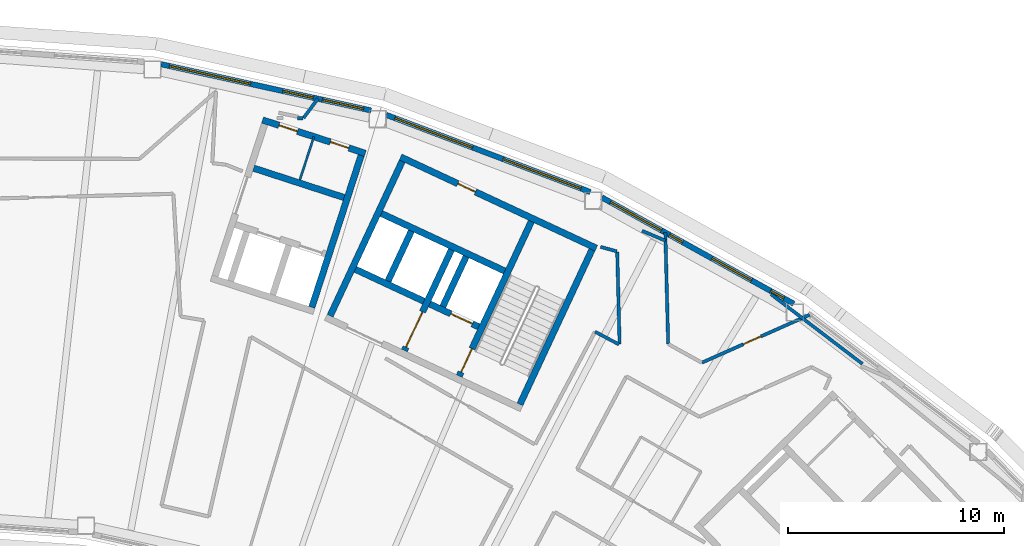
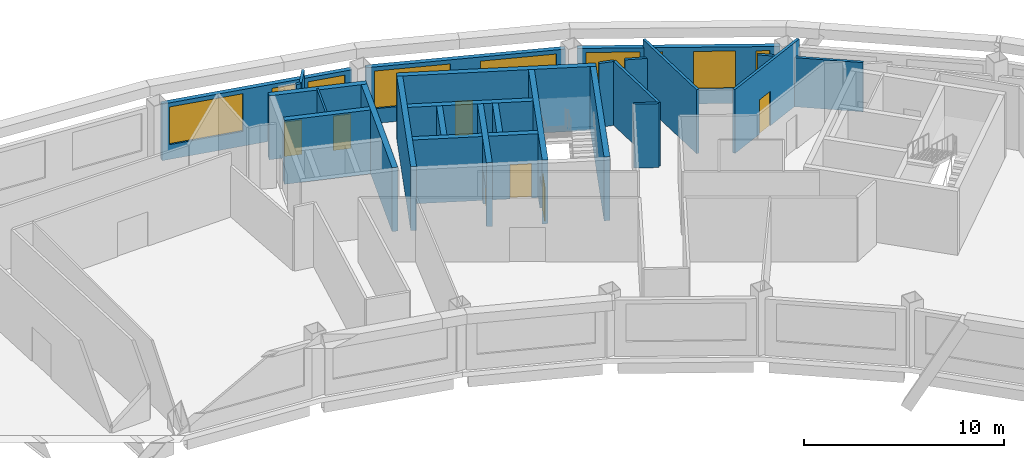
# One storey, part 10 of 13: 26 walls, 9 windows, 7 doors, 16 openings.
"""IFC4 building model written with IfcOpenShell, lengths in metres."""

from ifc_helpers import new_model, si_unit, direction, frame, frame_2d, origin, place, context, subcontext, project, spatial, rectangle, extrude, material, layer, layer_set, type_object, element, fill, save


model = new_model("IFC4")

# Units and contexts
model_context = context("Model", 3, precision=1e-05, world=origin(), true_north=direction((0.0, 1.0)))
body_context = subcontext(model_context, "Body", "Model", "MODEL_VIEW")
ifc_project = project(units=[si_unit("LENGTHUNIT", "METRE"), si_unit("AREAUNIT", "SQUARE_METRE"), si_unit("VOLUMEUNIT", "CUBIC_METRE"), si_unit("PLANEANGLEUNIT", "RADIAN"), si_unit("MASSUNIT", "GRAM", prefix="KILO")], contexts=[model_context])

# Site, building, storey
site_placement = place(None, origin())
site = spatial("IfcSite", under=ifc_project, at=site_placement, CompositionType="ELEMENT")
building_placement = place(site_placement, origin())
building = spatial("IfcBuilding", under=site, at=building_placement, Name="Tuul Gate Civic Tower", CompositionType="ELEMENT")
storey_placement = place(building_placement, frame((0.0, 0.0, 290.0)))
storey = spatial("IfcBuildingStorey", under=building, at=storey_placement, Name="Level 65", CompositionType="ELEMENT", Elevation=290.0)

# Wall, opening, door
ifc_material_1 = material(Name="Concrete C50/60", Category="concrete")
ifc_layer_1 = layer(ifc_material_1, 0.300048828125)
ifc_layer_set_1 = layer_set([ifc_layer_1], Name="Concrete C50/60")
wall_type_1 = type_object("IfcWallType", Name="Core wall C50/60", PredefinedType="SHEAR", material=ifc_layer_set_1)
wall_1_placement = place(storey_placement, frame((32.545654296875, -3.456787109375, 0.0), z_axis=(0.0, 0.0, 1.0), x_axis=(-0.906300357825, 0.42263419337, 0.0)))
wall_1 = element("IfcWall", 1, at=wall_1_placement, inside=storey, type_object=wall_type_1, Name="Core wall", PredefinedType="SHEAR", context=body_context, shape_type="SweptSolid", body=[
    extrude(rectangle(XDim=2.500244140625, YDim=0.300048828125, at=frame_2d((1.25, 0.0))), origin(), (0.0, 0.0, 1.0), 3.89990234375),
])
opening_1_placement = place(wall_1_placement, frame((0.324951171875, 0.0, 0.0)))
opening_1 = element("IfcOpeningElement", 2, at=opening_1_placement, cuts=wall_1, Name="Opening LD-FF-2", PredefinedType="OPENING", context=body_context, shape_type="SweptSolid", body=[
    extrude(rectangle(XDim=1.10009765625, YDim=2.10009765625, at=frame_2d((0.550048828125, 1.050048828125))), frame((0.0, 0.16015625, 0.0), z_axis=(0.0, -1.0, 0.0), x_axis=(1.0, 0.0, 0.0)), (0.0, 0.0, 1.0), 0.320068359375),
])
ifc_material_2 = material(Name="Stainless steel", Category="steel")
door_type_1 = type_object("IfcDoorType", Name="Landing door", OperationType="DOUBLE_DOOR_SLIDING", PredefinedType="DOOR", material=ifc_material_2)
door_1_placement = place(opening_1_placement, origin())
door_1 = element("IfcDoor", 3, at=door_1_placement, inside=storey, type_object=door_type_1, Name="Fire-fighting lift FF-2 landing door", OperationType="DOUBLE_DOOR_SLIDING", OverallHeight=2.10009765625, OverallWidth=1.10009765625, PredefinedType="DOOR", context=body_context, shape_type="SweptSolid", body=[
    extrude(rectangle(XDim=1.10009765625, YDim=2.10009765625, at=frame_2d((0.550048828125, 1.050048828125))), frame((0.0, 0.02490234375, 0.0), z_axis=(0.0, -1.0, 0.0), x_axis=(1.0, 0.0, 0.0)), (0.0, 0.0, 1.0), 0.050048828125),
])
fill(opening_1, door_1)

# Walls
wall_2_placement = place(storey_placement, frame((30.0078125, -2.2734375, 0.0), z_axis=(0.0, 0.0, 1.0), x_axis=(-0.90630071767, 0.422633421716, 0.0)))
element("IfcWall", 4, at=wall_2_placement, inside=storey, type_object=wall_type_1, Name="Core wall", PredefinedType="SHEAR", context=body_context, shape_type="SweptSolid", body=[
    extrude(rectangle(XDim=3.5, YDim=0.300048828125, at=frame_2d((1.75, 0.0))), origin(), (0.0, 0.0, 1.0), 3.89990234375),
])
wall_3_placement = place(storey_placement, frame((33.75, -0.873779296875, 0.0), z_axis=(0.0, 0.0, 1.0), x_axis=(-0.906300917592, 0.422632992999, 0.0)))
element("IfcWall", 5, at=wall_3_placement, inside=storey, type_object=wall_type_1, Name="Core wall", PredefinedType="SHEAR", context=body_context, shape_type="SweptSolid", body=[
    extrude(rectangle(XDim=6.300048828125, YDim=0.300048828125, at=frame_2d((3.14990234375, 0.0))), origin(), (0.0, 0.0, 1.0), 3.89990234375),
])

# Wall, opening, door
wall_4_placement = place(storey_placement, frame((37.993408203125, 0.181884765625, 0.0), z_axis=(0.0, 0.0, 1.0), x_axis=(-0.906310338845, 0.422612789327, 0.0)))
wall_4 = element("IfcWall", 6, at=wall_4_placement, inside=storey, type_object=wall_type_1, Name="Core wall", PredefinedType="SHEAR", context=body_context, shape_type="SweptSolid", body=[
    extrude(rectangle(XDim=9.999755859375, YDim=0.300048828125, at=frame_2d((5.0, 0.0))), origin(), (0.0, 0.0, 1.0), 3.89990234375),
])
opening_2_placement = place(wall_4_placement, frame((6.175048828125, 0.0, 0.0)))
opening_2 = element("IfcOpeningElement", 7, at=opening_2_placement, cuts=wall_4, Name="Opening X-D23", PredefinedType="OPENING", context=body_context, shape_type="SweptSolid", body=[
    extrude(rectangle(XDim=0.89990234375, YDim=2.10009765625, at=frame_2d((0.449951171875, 1.050048828125))), frame((0.0, 0.16015625, 0.0), z_axis=(0.0, -1.0, 0.0), x_axis=(1.0, 0.0, 0.0)), (0.0, 0.0, 1.0), 0.320068359375),
])
ifc_material_3 = material(Name="Timber door leaf", Category="wood")
door_type_2 = type_object("IfcDoorType", Name="Door D09", OperationType="NOTDEFINED", PredefinedType="DOOR", material=ifc_material_3)
door_2_placement = place(opening_2_placement, origin())
door_2 = element("IfcDoor", 8, at=door_2_placement, inside=storey, type_object=door_type_2, Name="Door X-D23", OperationType="SINGLE_SWING_LEFT", OverallHeight=2.10009765625, OverallWidth=0.89990234375, PredefinedType="DOOR", context=body_context, shape_type="SweptSolid", body=[
    extrude(rectangle(XDim=0.89990234375, YDim=2.10009765625, at=frame_2d((0.449951171875, 1.050048828125))), frame((0.0, 0.02490234375, 0.0), z_axis=(0.0, -1.0, 0.0), x_axis=(1.0, 0.0, 0.0)), (0.0, 0.0, 1.0), 0.050048828125),
])
fill(opening_2, door_2)

# Wall
wall_5_placement = place(storey_placement, frame((34.455810546875, -7.05078125, 0.0), z_axis=(0.0, 0.0, 1.0), x_axis=(0.422570768258, 0.906329932096, 0.0)))
element("IfcWall", 9, at=wall_5_placement, inside=storey, type_object=wall_type_1, Name="Core wall", PredefinedType="SHEAR", context=body_context, shape_type="SweptSolid", body=[
    extrude(rectangle(XDim=7.900146484375, YDim=0.300048828125, at=frame_2d((3.9501953125, 0.0))), origin(), (0.0, 0.0, 1.0), 3.89990234375),
])

# Wall, opening, door
wall_6_placement = place(storey_placement, frame((31.646240234375, -5.740478515625, 0.0), z_axis=(0.0, 0.0, 1.0), x_axis=(0.422582604137, 0.906324413596, 0.0)))
wall_6 = element("IfcWall", 10, at=wall_6_placement, inside=storey, type_object=wall_type_1, Name="Core wall", PredefinedType="SHEAR", context=body_context, shape_type="SweptSolid", body=[
    extrude(rectangle(XDim=7.89990234375, YDim=0.300048828125, at=frame_2d((3.949951171875, 0.0))), origin(), (0.0, 0.0, 1.0), 3.89990234375),
])
opening_3_placement = place(wall_6_placement, frame((0.199951171875, 0.0, 0.0)))
opening_3 = element("IfcOpeningElement", 11, at=opening_3_placement, cuts=wall_6, Name="Opening SD-ST-4", PredefinedType="OPENING", context=body_context, shape_type="SweptSolid", body=[
    extrude(rectangle(XDim=1.199951171875, YDim=2.10009765625, at=frame_2d((0.60009765625, 1.050048828125))), frame((0.0, 0.16015625, 0.0), z_axis=(0.0, -1.0, 0.0), x_axis=(1.0, 0.0, 0.0)), (0.0, 0.0, 1.0), 0.320068359375),
])
ifc_material_4 = material(Name="Steel", Category="steel")
door_type_3 = type_object("IfcDoorType", Name="Stair door", OperationType="NOTDEFINED", PredefinedType="DOOR", material=ifc_material_4)
door_3_placement = place(opening_3_placement, origin())
door_3 = element("IfcDoor", 12, at=door_3_placement, inside=storey, type_object=door_type_3, Name="Stair door ST-4", OperationType="SINGLE_SWING_LEFT", OverallHeight=2.10009765625, OverallWidth=1.199951171875, PredefinedType="DOOR", context=body_context, shape_type="SweptSolid", body=[
    extrude(rectangle(XDim=1.199951171875, YDim=2.10009765625, at=frame_2d((0.60009765625, 1.050048828125))), frame((0.0, 0.02490234375, 0.0), z_axis=(0.0, -1.0, 0.0), x_axis=(1.0, 0.0, 0.0)), (0.0, 0.0, 1.0), 0.050048828125),
])
fill(opening_3, door_3)

# Wall
wall_7_placement = place(storey_placement, frame((30.886962890625, -2.517822265625, 0.0), z_axis=(0.0, 0.0, 1.0), x_axis=(0.422612891016, 0.906310291427, 0.0)))
element("IfcWall", 13, at=wall_7_placement, inside=storey, type_object=wall_type_1, Name="Core wall", PredefinedType="SHEAR", context=body_context, shape_type="SweptSolid", body=[
    extrude(rectangle(XDim=2.550048828125, YDim=0.300048828125, at=frame_2d((1.27490234375, 0.0))), origin(), (0.0, 0.0, 1.0), 3.89990234375),
])

# Wall, opening, door
wall_8_placement = place(storey_placement, frame((29.108642578125, -4.557373046875, 0.0), z_axis=(0.0, 0.0, 1.0), x_axis=(0.422566235356, 0.90633204552, 0.0)))
wall_8 = element("IfcWall", 14, at=wall_8_placement, inside=storey, type_object=wall_type_1, Name="Core wall", PredefinedType="SHEAR", context=body_context, shape_type="SweptSolid", body=[
    extrude(rectangle(XDim=5.150146484375, YDim=0.300048828125, at=frame_2d((2.5751953125, 0.0))), origin(), (0.0, 0.0, 1.0), 3.89990234375),
])
opening_4_placement = place(wall_8_placement, frame((0.175048828125, 0.0, 0.0)))
opening_4 = element("IfcOpeningElement", 15, at=opening_4_placement, cuts=wall_8, Name="Opening LB-E3-FLOBBY-1", PredefinedType="OPENING", context=body_context, shape_type="SweptSolid", body=[
    extrude(rectangle(XDim=1.800048828125, YDim=2.10009765625, at=frame_2d((0.89990234375, 1.050048828125))), frame((0.0, 0.16015625, 0.0), z_axis=(0.0, -1.0, 0.0), x_axis=(1.0, 0.0, 0.0)), (0.0, 0.0, 1.0), 0.320068359375),
])
ifc_material_5 = material(Name="Steel", Category="steel")
door_type_4 = type_object("IfcDoorType", Name="Lobby door", OperationType="DOUBLE_DOOR_SINGLE_SWING", PredefinedType="DOOR", material=ifc_material_5)
door_4_placement = place(opening_4_placement, frame((1.800048828125, 0.0, 0.0), z_axis=(0.0, 0.0, 1.0), x_axis=(-1.0, 0.0, 0.0)))
door_4 = element("IfcDoor", 16, at=door_4_placement, inside=storey, type_object=door_type_4, Name="Lobby door E3-FLOBBY", OperationType="DOUBLE_DOOR_SINGLE_SWING", OverallHeight=2.10009765625, OverallWidth=1.800048828125, PredefinedType="DOOR", context=body_context, shape_type="SweptSolid", body=[
    extrude(rectangle(XDim=1.800048828125, YDim=2.10009765625, at=frame_2d((0.900146484375, 1.050048828125))), frame((0.0, 0.02490234375, 0.0), z_axis=(0.0, -1.0, 0.0), x_axis=(1.0, 0.0, 0.0)), (0.0, 0.0, 1.0), 0.050048828125),
])
fill(opening_4, door_4)

# Walls
wall_9_placement = place(storey_placement, frame((28.349365234375, -1.33447265625, 0.0), z_axis=(0.0, 0.0, 1.0), x_axis=(0.422612891016, 0.906310291427, 0.0)))
element("IfcWall", 17, at=wall_9_placement, inside=storey, type_object=wall_type_1, Name="Core wall", PredefinedType="SHEAR", context=body_context, shape_type="SweptSolid", body=[
    extrude(rectangle(XDim=2.550048828125, YDim=0.300048828125, at=frame_2d((1.27490234375, 0.0))), origin(), (0.0, 0.0, 1.0), 3.89990234375),
])
wall_10_placement = place(storey_placement, frame((25.66455078125, -2.951416015625, 0.0), z_axis=(0.0, 0.0, 1.0), x_axis=(0.422582604137, 0.906324413596, 0.0)))
element("IfcWall", 18, at=wall_10_placement, inside=storey, type_object=wall_type_1, Name="Core wall", PredefinedType="SHEAR", context=body_context, shape_type="SweptSolid", body=[
    extrude(rectangle(XDim=7.89990234375, YDim=0.300048828125, at=frame_2d((3.949951171875, 0.0))), origin(), (0.0, 0.0, 1.0), 3.89990234375),
])

# Wall, opening, door
ifc_material_6 = material(Name="Gypsum board partition")
ifc_layer_2 = layer(ifc_material_6, 0.14990234375)
ifc_layer_set_2 = layer_set([ifc_layer_2], Name="Gypsum board partition")
wall_type_2 = type_object("IfcWallType", Name="Corridor wall P150", PredefinedType="PARTITIONING", material=ifc_layer_set_2)
wall_11_placement = place(storey_placement, frame((42.892822265625, -5.115478515625, 0.0), z_axis=(0.0, 0.0, 1.0), x_axis=(0.913876120941, 0.405993147201, 0.0)))
wall_11 = element("IfcWall", 19, at=wall_11_placement, inside=storey, type_object=wall_type_2, Name="p005", PredefinedType="PARTITIONING", context=body_context, shape_type="SweptSolid", body=[
    extrude(rectangle(XDim=5.4560546875, YDim=0.14990234375, at=frame_2d((2.72802734375, 0.0))), origin(), (0.0, 0.0, 1.0), 3.89990234375),
])
opening_5_placement = place(wall_11_placement, frame((2.08935546875, 0.0, 0.0)))
opening_5 = element("IfcOpeningElement", 20, at=opening_5_placement, cuts=wall_11, Name="Opening X-D01", PredefinedType="OPENING", context=body_context, shape_type="SweptSolid", body=[
    extrude(rectangle(XDim=0.89990234375, YDim=2.10009765625, at=frame_2d((0.449951171875, 1.050048828125))), frame((0.0, 0.0849609375, 0.0), z_axis=(0.0, -1.0, 0.0), x_axis=(1.0, 0.0, 0.0)), (0.0, 0.0, 1.0), 0.169921875),
])
door_5_placement = place(opening_5_placement, origin())
door_5 = element("IfcDoor", 21, at=door_5_placement, inside=storey, type_object=door_type_2, Name="Door X-D01", OperationType="SINGLE_SWING_RIGHT", OverallHeight=2.10009765625, OverallWidth=0.89990234375, PredefinedType="DOOR", context=body_context, shape_type="SweptSolid", body=[
    extrude(rectangle(XDim=0.89990234375, YDim=2.10009765625, at=frame_2d((0.449951171875, 1.050048828125))), frame((0.0, 0.02490234375, 0.0), z_axis=(0.0, -1.0, 0.0), x_axis=(1.0, 0.0, 0.0)), (0.0, 0.0, 1.0), 0.050048828125),
])
fill(opening_5, door_5)

# Walls
wall_12_placement = place(storey_placement, frame((41.19189453125, 0.91162109375, 0.0), z_axis=(0.0, 0.0, 1.0), x_axis=(0.025471250231, -0.999675555074, 0.0)))
element("IfcWall", 22, at=wall_12_placement, inside=storey, type_object=wall_type_2, Name="p007", PredefinedType="PARTITIONING", context=body_context, shape_type="SweptSolid", body=[
    extrude(rectangle(XDim=5.15673828125, YDim=0.14990234375, at=frame_2d((2.578369140625, 0.0))), origin(), (0.0, 0.0, 1.0), 3.89990234375),
])
wall_13_placement = place(storey_placement, frame((24.432373046875, 6.212890625, 0.0), z_axis=(0.0, 0.0, 1.0), x_axis=(0.596850597109, 0.802352394357, 0.0)))
element("IfcWall", 23, at=wall_13_placement, inside=storey, type_object=wall_type_2, Name="p018", PredefinedType="PARTITIONING", context=body_context, shape_type="SweptSolid", body=[
    extrude(rectangle(XDim=1.117919921875, YDim=0.14990234375, at=frame_2d((0.55908203125, 0.0))), origin(), (0.0, 0.0, 1.0), 3.89990234375),
])
wall_14_placement = place(storey_placement, frame((38.189453125, 0.24560546875, 0.0), z_axis=(0.0, 0.0, 1.0), x_axis=(0.963509032023, -0.267675821115, 0.0)))
element("IfcWall", 24, at=wall_14_placement, inside=storey, type_object=wall_type_2, Name="p091", PredefinedType="PARTITIONING", context=body_context, shape_type="SweptSolid", body=[
    extrude(rectangle(XDim=0.7880859375, YDim=0.14990234375, at=frame_2d((0.39404296875, 0.0))), origin(), (0.0, 0.0, 1.0), 3.89990234375),
])
wall_15_placement = place(storey_placement, frame((38.9638671875, 0.01513671875, 0.0), z_axis=(0.0, 0.0, 1.0), x_axis=(0.025483262519, -0.999675248934, 0.0)))
element("IfcWall", 25, at=wall_15_placement, inside=storey, type_object=wall_type_2, Name="p092", PredefinedType="PARTITIONING", context=body_context, shape_type="SweptSolid", body=[
    extrude(rectangle(XDim=4.27294921875, YDim=0.14990234375, at=frame_2d((2.136474609375, 0.0))), origin(), (0.0, 0.0, 1.0), 3.89990234375),
])
wall_16_placement = place(storey_placement, frame((37.938232421875, -3.6875, 0.0), z_axis=(0.0, 0.0, 1.0), x_axis=(0.882946394022, -0.469473817463, 0.0)))
element("IfcWall", 26, at=wall_16_placement, inside=storey, type_object=wall_type_2, Name="p093", PredefinedType="PARTITIONING", context=body_context, shape_type="SweptSolid", body=[
    extrude(rectangle(XDim=1.251220703125, YDim=0.14990234375, at=frame_2d((0.62548828125, 0.0))), origin(), (0.0, 0.0, 1.0), 3.89990234375),
])
wall_17_placement = place(storey_placement, frame((24.15380859375, 6.20751953125, 0.0), z_axis=(0.0, 0.0, 1.0), x_axis=(0.999926340328, -0.012137294514, 0.0)))
element("IfcWall", 27, at=wall_17_placement, inside=storey, type_object=wall_type_2, Name="p019", PredefinedType="PARTITIONING", context=body_context, shape_type="SweptSolid", body=[
    extrude(rectangle(XDim=0.261474609375, YDim=0.14990234375, at=frame_2d((0.130859375, 0.0))), origin(), (0.0, 0.0, 1.0), 3.89990234375),
])
ifc_material_7 = material(Name="Gypsum board partition")
ifc_layer_3 = layer(ifc_material_7, 0.14990234375)
ifc_layer_set_3 = layer_set([ifc_layer_3], Name="Gypsum board partition")
wall_type_3 = type_object("IfcWallType", Name="Corridor wall P150 3000 HIGH", PredefinedType="PARTITIONING", material=ifc_layer_set_3)
wall_18_placement = place(storey_placement, frame((46.08447265625, -1.94873046875, 0.0), z_axis=(0.0, 0.0, 1.0), x_axis=(0.795606337097, -0.605813961849, 0.0)))
element("IfcWall", 28, at=wall_18_placement, inside=storey, type_object=wall_type_3, Name="p001", PredefinedType="PARTITIONING", context=body_context, shape_type="SweptSolid", body=[
    extrude(rectangle(XDim=5.326904296875, YDim=0.14990234375, at=frame_2d((2.66357421875, 0.0))), origin(), (0.0, 0.0, 1.0), 3.0),
])
wall_19_placement = place(storey_placement, frame((40.112548828125, 0.989013671875, 0.0), z_axis=(0.0, 0.0, 1.0), x_axis=(0.921195251322, -0.389100641148, 0.0)))
element("IfcWall", 29, at=wall_19_placement, inside=storey, type_object=wall_type_3, Name="p009", PredefinedType="PARTITIONING", context=body_context, shape_type="SweptSolid", body=[
    extrude(rectangle(XDim=1.181396484375, YDim=0.14990234375, at=frame_2d((0.5908203125, 0.0))), origin(), (0.0, 0.0, 1.0), 3.0),
])

# Wall, openings, windows
ifc_material_8 = material(Name="Precast concrete C40/50", Category="concrete")
ifc_layer_4 = layer(ifc_material_8, 0.25)
ifc_layer_set_4 = layer_set([ifc_layer_4], Name="Precast concrete C40/50")
wall_type_4 = type_object("IfcWallType", Name="External wall", PredefinedType="STANDARD", material=ifc_layer_set_4)
wall_20_placement = place(storey_placement, frame((47.139404296875, -2.39111328125, 0.0), z_axis=(0.0, 0.0, 1.0), x_axis=(-0.874604551877, 0.484836960055, 0.0)))
wall_20 = element("IfcWall", 30, at=wall_20_placement, inside=storey, type_object=wall_type_4, Name="External wall", PredefinedType="STANDARD", context=body_context, shape_type="SweptSolid", body=[
    extrude(rectangle(XDim=10.16162109375, YDim=0.25, at=frame_2d((5.080810546875, 0.0))), origin(), (0.0, 0.0, 1.0), 3.449951171875),
])
opening_6_placement = place(wall_20_placement, frame((0.52294921875, 0.0, 0.89990234375)))
opening_6 = element("IfcOpeningElement", 31, at=opening_6_placement, cuts=wall_20, Name="Opening W70", PredefinedType="OPENING", context=body_context, shape_type="SweptSolid", body=[
    extrude(rectangle(XDim=0.699951171875, YDim=2.300048828125, at=frame_2d((0.35009765625, 1.14990234375))), frame((0.0, 0.135009765625, 0.0), z_axis=(0.0, -1.0, 0.0), x_axis=(1.0, 0.0, 0.0)), (0.0, 0.0, 1.0), 0.27001953125),
])
opening_7_placement = place(wall_20_placement, frame((2.23388671875, 0.0, 0.89990234375)))
opening_7 = element("IfcOpeningElement", 32, at=opening_7_placement, cuts=wall_20, Name="Opening W40", PredefinedType="OPENING", context=body_context, shape_type="SweptSolid", body=[
    extrude(rectangle(XDim=2.10009765625, YDim=2.300048828125, at=frame_2d((1.050048828125, 1.14990234375))), frame((0.0, 0.135009765625, 0.0), z_axis=(0.0, -1.0, 0.0), x_axis=(1.0, 0.0, 0.0)), (0.0, 0.0, 1.0), 0.27001953125),
])
opening_8_placement = place(wall_20_placement, frame((5.8818359375, 0.0, 0.89990234375)))
opening_8 = element("IfcOpeningElement", 33, at=opening_8_placement, cuts=wall_20, Name="Opening W70", PredefinedType="OPENING", context=body_context, shape_type="SweptSolid", body=[
    extrude(rectangle(XDim=0.699951171875, YDim=2.300048828125, at=frame_2d((0.35009765625, 1.14990234375))), frame((0.0, 0.135009765625, 0.0), z_axis=(0.0, -1.0, 0.0), x_axis=(1.0, 0.0, 0.0)), (0.0, 0.0, 1.0), 0.27001953125),
])
opening_9_placement = place(wall_20_placement, frame((7.0068359375, 0.0, 0.89990234375)))
opening_9 = element("IfcOpeningElement", 34, at=opening_9_placement, cuts=wall_20, Name="Opening W69", PredefinedType="OPENING", context=body_context, shape_type="SweptSolid", body=[
    extrude(rectangle(XDim=2.699951171875, YDim=2.300048828125, at=frame_2d((1.35009765625, 1.14990234375))), frame((0.0, 0.135009765625, 0.0), z_axis=(0.0, -1.0, 0.0), x_axis=(1.0, 0.0, 0.0)), (0.0, 0.0, 1.0), 0.27001953125),
])
ifc_material_9 = material(Name="Glass", Category="glass")
window_type_1 = type_object("IfcWindowType", Name="Window 2100 x 2300", PartitioningType="SINGLE_PANEL", PredefinedType="WINDOW", material=ifc_material_9)
window_1_placement = place(opening_7_placement, origin())
window_1 = element("IfcWindow", 35, at=window_1_placement, inside=storey, type_object=window_type_1, Name="Window", OverallHeight=2.300048828125, OverallWidth=2.10009765625, PartitioningType="SINGLE_PANEL", PredefinedType="WINDOW", context=body_context, shape_type="SweptSolid", body=[
    extrude(rectangle(XDim=2.10009765625, YDim=2.300048828125, at=frame_2d((1.050048828125, 1.14990234375))), frame((0.0, 0.030029296875, 0.0), z_axis=(0.0, -1.0, 0.0), x_axis=(1.0, 0.0, 0.0)), (0.0, 0.0, 1.0), 0.06005859375),
])
fill(opening_7, window_1)
ifc_material_10 = material(Name="Glass", Category="glass")
window_type_2 = type_object("IfcWindowType", Name="Window 2700 x 2300", PartitioningType="SINGLE_PANEL", PredefinedType="WINDOW", material=ifc_material_10)
window_2_placement = place(opening_9_placement, origin())
window_2 = element("IfcWindow", 36, at=window_2_placement, inside=storey, type_object=window_type_2, Name="Window", OverallHeight=2.300048828125, OverallWidth=2.699951171875, PartitioningType="SINGLE_PANEL", PredefinedType="WINDOW", context=body_context, shape_type="SweptSolid", body=[
    extrude(rectangle(XDim=2.699951171875, YDim=2.300048828125, at=frame_2d((1.35009765625, 1.14990234375))), frame((0.0, 0.030029296875, 0.0), z_axis=(0.0, -1.0, 0.0), x_axis=(1.0, 0.0, 0.0)), (0.0, 0.0, 1.0), 0.06005859375),
])
fill(opening_9, window_2)
ifc_material_11 = material(Name="Glass", Category="glass")
window_type_3 = type_object("IfcWindowType", Name="Window 700 x 2300", PartitioningType="SINGLE_PANEL", PredefinedType="WINDOW", material=ifc_material_11)
window_3_placement = place(opening_6_placement, origin())
window_3 = element("IfcWindow", 37, at=window_3_placement, inside=storey, type_object=window_type_3, Name="Window", OverallHeight=2.300048828125, OverallWidth=0.699951171875, PartitioningType="SINGLE_PANEL", PredefinedType="WINDOW", context=body_context, shape_type="SweptSolid", body=[
    extrude(rectangle(XDim=0.699951171875, YDim=2.300048828125, at=frame_2d((0.35009765625, 1.14990234375))), frame((0.0, 0.030029296875, 0.0), z_axis=(0.0, -1.0, 0.0), x_axis=(1.0, 0.0, 0.0)), (0.0, 0.0, 1.0), 0.06005859375),
])
fill(opening_6, window_3)
window_4_placement = place(opening_8_placement, origin())
window_4 = element("IfcWindow", 38, at=window_4_placement, inside=storey, type_object=window_type_3, Name="Window", OverallHeight=2.300048828125, OverallWidth=0.699951171875, PartitioningType="SINGLE_PANEL", PredefinedType="WINDOW", context=body_context, shape_type="SweptSolid", body=[
    extrude(rectangle(XDim=0.699951171875, YDim=2.300048828125, at=frame_2d((0.35009765625, 1.14990234375))), frame((0.0, 0.030029296875, 0.0), z_axis=(0.0, -1.0, 0.0), x_axis=(1.0, 0.0, 0.0)), (0.0, 0.0, 1.0), 0.06005859375),
])
fill(opening_8, window_4)

wall_21_placement = place(storey_placement, frame((37.715087890625, 2.784912109375, 0.0), z_axis=(0.0, 0.0, 1.0), x_axis=(-0.935360382643, 0.353696133118, 0.0)))
wall_21 = element("IfcWall", 39, at=wall_21_placement, inside=storey, type_object=wall_type_4, Name="External wall", PredefinedType="STANDARD", context=body_context, shape_type="SweptSolid", body=[
    extrude(rectangle(XDim=10.103271484375, YDim=0.25, at=frame_2d((5.0517578125, 0.0))), origin(), (0.0, 0.0, 1.0), 3.449951171875),
])
opening_10_placement = place(wall_21_placement, frame((0.45849609375, 0.0, 0.89990234375)))
opening_10 = element("IfcOpeningElement", 40, at=opening_10_placement, cuts=wall_21, Name="Opening W22", PredefinedType="OPENING", context=body_context, shape_type="SweptSolid", body=[
    extrude(rectangle(XDim=3.85009765625, YDim=2.300048828125, at=frame_2d((1.925048828125, 1.14990234375))), frame((0.0, 0.135009765625, 0.0), z_axis=(0.0, -1.0, 0.0), x_axis=(1.0, 0.0, 0.0)), (0.0, 0.0, 1.0), 0.27001953125),
])
opening_11_placement = place(wall_21_placement, frame((5.830322265625, 0.0, 0.89990234375)))
opening_11 = element("IfcOpeningElement", 41, at=opening_11_placement, cuts=wall_21, Name="Opening W22", PredefinedType="OPENING", context=body_context, shape_type="SweptSolid", body=[
    extrude(rectangle(XDim=3.85009765625, YDim=2.300048828125, at=frame_2d((1.925048828125, 1.14990234375))), frame((0.0, 0.135009765625, 0.0), z_axis=(0.0, -1.0, 0.0), x_axis=(1.0, 0.0, 0.0)), (0.0, 0.0, 1.0), 0.27001953125),
])
ifc_material_12 = material(Name="Glass", Category="glass")
window_type_4 = type_object("IfcWindowType", Name="Window W22 3850 x 2300", PartitioningType="SINGLE_PANEL", PredefinedType="WINDOW", material=ifc_material_12)
window_5_placement = place(opening_10_placement, origin())
window_5 = element("IfcWindow", 42, at=window_5_placement, inside=storey, type_object=window_type_4, Name="Window", OverallHeight=2.300048828125, OverallWidth=3.85009765625, PartitioningType="SINGLE_PANEL", PredefinedType="WINDOW", context=body_context, shape_type="SweptSolid", body=[
    extrude(rectangle(XDim=3.85009765625, YDim=2.300048828125, at=frame_2d((1.925048828125, 1.14990234375))), frame((0.0, 0.030029296875, 0.0), z_axis=(0.0, -1.0, 0.0), x_axis=(1.0, 0.0, 0.0)), (0.0, 0.0, 1.0), 0.06005859375),
])
fill(opening_10, window_5)
window_6_placement = place(opening_11_placement, origin())
window_6 = element("IfcWindow", 43, at=window_6_placement, inside=storey, type_object=window_type_4, Name="Window", OverallHeight=2.300048828125, OverallWidth=3.85009765625, PartitioningType="SINGLE_PANEL", PredefinedType="WINDOW", context=body_context, shape_type="SweptSolid", body=[
    extrude(rectangle(XDim=3.85009765625, YDim=2.300048828125, at=frame_2d((1.925048828125, 1.14990234375))), frame((0.0, 0.030029296875, 0.0), z_axis=(0.0, -1.0, 0.0), x_axis=(1.0, 0.0, 0.0)), (0.0, 0.0, 1.0), 0.06005859375),
])
fill(opening_11, window_6)

wall_22_placement = place(storey_placement, frame((27.56201171875, 6.56201171875, 0.0), z_axis=(0.0, 0.0, 1.0), x_axis=(-0.976565167079, 0.215221919071, 0.0)))
wall_22 = element("IfcWall", 44, at=wall_22_placement, inside=storey, type_object=wall_type_4, Name="External wall", PredefinedType="STANDARD", context=body_context, shape_type="SweptSolid", body=[
    extrude(rectangle(XDim=9.95751953125, YDim=0.25, at=frame_2d((4.978759765625, 0.0))), origin(), (0.0, 0.0, 1.0), 3.449951171875),
])
opening_12_placement = place(wall_22_placement, frame((5.717529296875, 0.0, 0.89990234375)))
opening_12 = element("IfcOpeningElement", 45, at=opening_12_placement, cuts=wall_22, Name="Opening W22", PredefinedType="OPENING", context=body_context, shape_type="SweptSolid", body=[
    extrude(rectangle(XDim=3.85009765625, YDim=2.300048828125, at=frame_2d((1.925048828125, 1.14990234375))), frame((0.0, 0.135009765625, 0.0), z_axis=(0.0, -1.0, 0.0), x_axis=(1.0, 0.0, 0.0)), (0.0, 0.0, 1.0), 0.27001953125),
])
opening_13_placement = place(wall_22_placement, frame((0.35986328125, 0.0, 0.89990234375)))
opening_13 = element("IfcOpeningElement", 46, at=opening_13_placement, cuts=wall_22, Name="Opening W46", PredefinedType="OPENING", context=body_context, shape_type="SweptSolid", body=[
    extrude(rectangle(XDim=1.949951171875, YDim=2.300048828125, at=frame_2d((0.97509765625, 1.14990234375))), frame((0.0, 0.135009765625, 0.0), z_axis=(0.0, -1.0, 0.0), x_axis=(1.0, 0.0, 0.0)), (0.0, 0.0, 1.0), 0.27001953125),
])
opening_14_placement = place(wall_22_placement, frame((2.73486328125, 0.0, 0.89990234375)))
opening_14 = element("IfcOpeningElement", 47, at=opening_14_placement, cuts=wall_22, Name="Opening W47", PredefinedType="OPENING", context=body_context, shape_type="SweptSolid", body=[
    extrude(rectangle(XDim=1.449951171875, YDim=2.300048828125, at=frame_2d((0.72509765625, 1.14990234375))), frame((0.0, 0.135009765625, 0.0), z_axis=(0.0, -1.0, 0.0), x_axis=(1.0, 0.0, 0.0)), (0.0, 0.0, 1.0), 0.27001953125),
])
ifc_material_13 = material(Name="Glass", Category="glass")
window_type_5 = type_object("IfcWindowType", Name="Window 1450 x 2300", PartitioningType="SINGLE_PANEL", PredefinedType="WINDOW", material=ifc_material_13)
window_7_placement = place(opening_14_placement, origin())
window_7 = element("IfcWindow", 48, at=window_7_placement, inside=storey, type_object=window_type_5, Name="Window", OverallHeight=2.300048828125, OverallWidth=1.449951171875, PartitioningType="SINGLE_PANEL", PredefinedType="WINDOW", context=body_context, shape_type="SweptSolid", body=[
    extrude(rectangle(XDim=1.449951171875, YDim=2.300048828125, at=frame_2d((0.72509765625, 1.14990234375))), frame((0.0, 0.030029296875, 0.0), z_axis=(0.0, -1.0, 0.0), x_axis=(1.0, 0.0, 0.0)), (0.0, 0.0, 1.0), 0.06005859375),
])
fill(opening_14, window_7)
ifc_material_14 = material(Name="Glass", Category="glass")
window_type_6 = type_object("IfcWindowType", Name="Window 1950 x 2300", PartitioningType="SINGLE_PANEL", PredefinedType="WINDOW", material=ifc_material_14)
window_8_placement = place(opening_13_placement, origin())
window_8 = element("IfcWindow", 49, at=window_8_placement, inside=storey, type_object=window_type_6, Name="Window", OverallHeight=2.300048828125, OverallWidth=1.949951171875, PartitioningType="SINGLE_PANEL", PredefinedType="WINDOW", context=body_context, shape_type="SweptSolid", body=[
    extrude(rectangle(XDim=1.949951171875, YDim=2.300048828125, at=frame_2d((0.97509765625, 1.14990234375))), frame((0.0, 0.030029296875, 0.0), z_axis=(0.0, -1.0, 0.0), x_axis=(1.0, 0.0, 0.0)), (0.0, 0.0, 1.0), 0.06005859375),
])
fill(opening_13, window_8)
window_9_placement = place(opening_12_placement, origin())
window_9 = element("IfcWindow", 50, at=window_9_placement, inside=storey, type_object=window_type_4, Name="Window", OverallHeight=2.300048828125, OverallWidth=3.85009765625, PartitioningType="SINGLE_PANEL", PredefinedType="WINDOW", context=body_context, shape_type="SweptSolid", body=[
    extrude(rectangle(XDim=3.85009765625, YDim=2.300048828125, at=frame_2d((1.925048828125, 1.14990234375))), frame((0.0, 0.030029296875, 0.0), z_axis=(0.0, -1.0, 0.0), x_axis=(1.0, 0.0, 0.0)), (0.0, 0.0, 1.0), 0.06005859375),
])
fill(opening_12, window_9)

# Wall
ifc_material_15 = material(Name="Concrete C40/50", Category="concrete")
ifc_layer_5 = layer(ifc_material_15, 0.300048828125)
ifc_layer_set_5 = layer_set([ifc_layer_5], Name="Concrete C40/50")
wall_type_5 = type_object("IfcWallType", Name="Lift shaft wall C40/50", PredefinedType="STANDARD", material=ifc_layer_set_5)
wall_23_placement = place(storey_placement, frame((26.310546875, 2.529541015625, 0.0), z_axis=(0.0, 0.0, 1.0), x_axis=(-0.951058531764, 0.30901079133, 0.0)))
element("IfcWall", 51, at=wall_23_placement, inside=storey, type_object=wall_type_5, Name="Shaft wall", PredefinedType="STANDARD", context=body_context, shape_type="SweptSolid", body=[
    extrude(rectangle(XDim=4.39990234375, YDim=0.300048828125, at=frame_2d((2.199951171875, 0.0))), origin(), (0.0, 0.0, 1.0), 3.89990234375),
])

# Wall, openings, doors
wall_24_placement = place(storey_placement, frame((27.29150390625, 4.57666015625, 0.0), z_axis=(0.0, 0.0, 1.0), x_axis=(-0.951067792613, 0.308982287281, 0.0)))
wall_24 = element("IfcWall", 52, at=wall_24_placement, inside=storey, type_object=wall_type_5, Name="Shaft wall", PredefinedType="STANDARD", context=body_context, shape_type="SweptSolid", body=[
    extrude(rectangle(XDim=5.0, YDim=0.300048828125, at=frame_2d((2.5, 0.0))), origin(), (0.0, 0.0, 1.0), 3.89990234375),
])
opening_15_placement = place(wall_24_placement, frame((0.800048828125, 0.0, 0.0)))
opening_15 = element("IfcOpeningElement", 53, at=opening_15_placement, cuts=wall_24, Name="Opening X-D24", PredefinedType="OPENING", context=body_context, shape_type="SweptSolid", body=[
    extrude(rectangle(XDim=0.89990234375, YDim=2.10009765625, at=frame_2d((0.449951171875, 1.050048828125))), frame((0.0, 0.16015625, 0.0), z_axis=(0.0, -1.0, 0.0), x_axis=(1.0, 0.0, 0.0)), (0.0, 0.0, 1.0), 0.320068359375),
])
opening_16_placement = place(wall_24_placement, frame((3.300048828125, 0.0, 0.0)))
opening_16 = element("IfcOpeningElement", 54, at=opening_16_placement, cuts=wall_24, Name="Opening X-D25", PredefinedType="OPENING", context=body_context, shape_type="SweptSolid", body=[
    extrude(rectangle(XDim=0.89990234375, YDim=2.10009765625, at=frame_2d((0.449951171875, 1.050048828125))), frame((0.0, 0.16015625, 0.0), z_axis=(0.0, -1.0, 0.0), x_axis=(1.0, 0.0, 0.0)), (0.0, 0.0, 1.0), 0.320068359375),
])
door_6_placement = place(opening_15_placement, origin())
door_6 = element("IfcDoor", 55, at=door_6_placement, inside=storey, type_object=door_type_2, Name="Door X-D24", OperationType="SINGLE_SWING_LEFT", OverallHeight=2.10009765625, OverallWidth=0.89990234375, PredefinedType="DOOR", context=body_context, shape_type="SweptSolid", body=[
    extrude(rectangle(XDim=0.89990234375, YDim=2.10009765625, at=frame_2d((0.449951171875, 1.050048828125))), frame((0.0, 0.02490234375, 0.0), z_axis=(0.0, -1.0, 0.0), x_axis=(1.0, 0.0, 0.0)), (0.0, 0.0, 1.0), 0.050048828125),
])
fill(opening_15, door_6)
door_7_placement = place(opening_16_placement, origin())
door_7 = element("IfcDoor", 56, at=door_7_placement, inside=storey, type_object=door_type_2, Name="Door X-D25", OperationType="SINGLE_SWING_RIGHT", OverallHeight=2.10009765625, OverallWidth=0.89990234375, PredefinedType="DOOR", context=body_context, shape_type="SweptSolid", body=[
    extrude(rectangle(XDim=0.89990234375, YDim=2.10009765625, at=frame_2d((0.449951171875, 1.050048828125))), frame((0.0, 0.02490234375, 0.0), z_axis=(0.0, -1.0, 0.0), x_axis=(1.0, 0.0, 0.0)), (0.0, 0.0, 1.0), 0.050048828125),
])
fill(opening_16, door_7)

# Walls
wall_25_placement = place(storey_placement, frame((24.815185546875, -2.557373046875, 0.0), z_axis=(0.0, 0.0, 1.0), x_axis=(0.30907264409, 0.951038432807, 0.0)))
element("IfcWall", 57, at=wall_25_placement, inside=storey, type_object=wall_type_5, Name="Shaft wall", PredefinedType="STANDARD", context=body_context, shape_type="SweptSolid", body=[
    extrude(rectangle(XDim=7.39990234375, YDim=0.300048828125, at=frame_2d((3.699951171875, 0.0))), origin(), (0.0, 0.0, 1.0), 3.89990234375),
])
ifc_material_16 = material(Name="Gypsum board partition")
ifc_layer_6 = layer(ifc_material_16, 0.10009765625)
ifc_layer_set_6 = layer_set([ifc_layer_6], Name="Gypsum board partition")
wall_type_6 = type_object("IfcWallType", Name="Partition P100", PredefinedType="PARTITIONING", material=ifc_layer_set_6)
wall_26_placement = place(storey_placement, frame((24.2646484375, 3.35205078125, 0.0), z_axis=(0.0, 0.0, 1.0), x_axis=(0.309138649025, 0.951016979701, 0.0)))
element("IfcWall", 58, at=wall_26_placement, inside=storey, type_object=wall_type_6, Name="bE4-BAND-0", PredefinedType="PARTITIONING", context=body_context, shape_type="SweptSolid", body=[
    extrude(rectangle(XDim=2.099853515625, YDim=0.10009765625, at=frame_2d((1.0498046875, 0.0))), origin(), (0.0, 0.0, 1.0), 3.89990234375),
])

save(model, "model.ifc")
